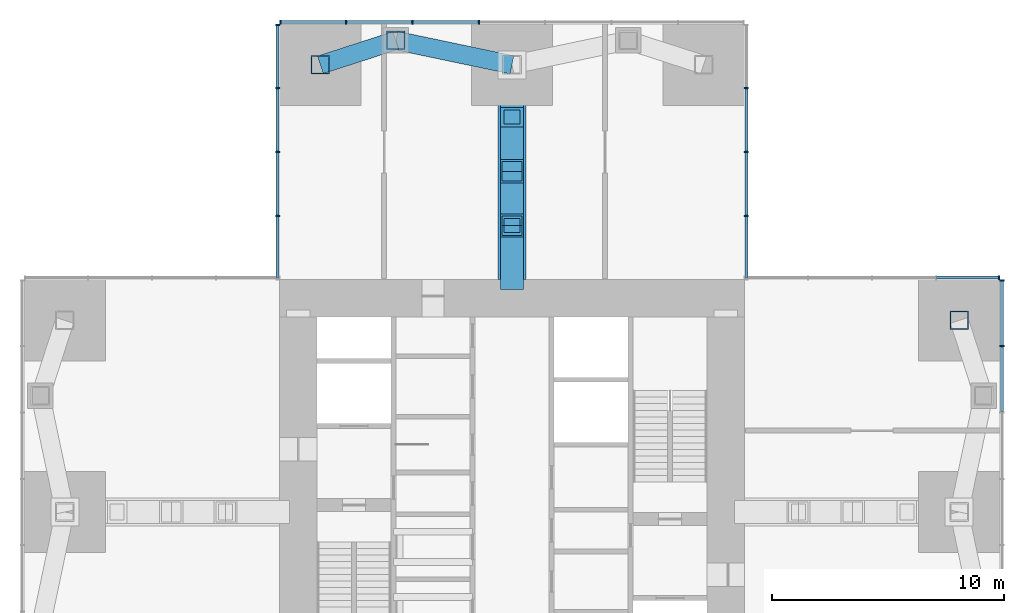
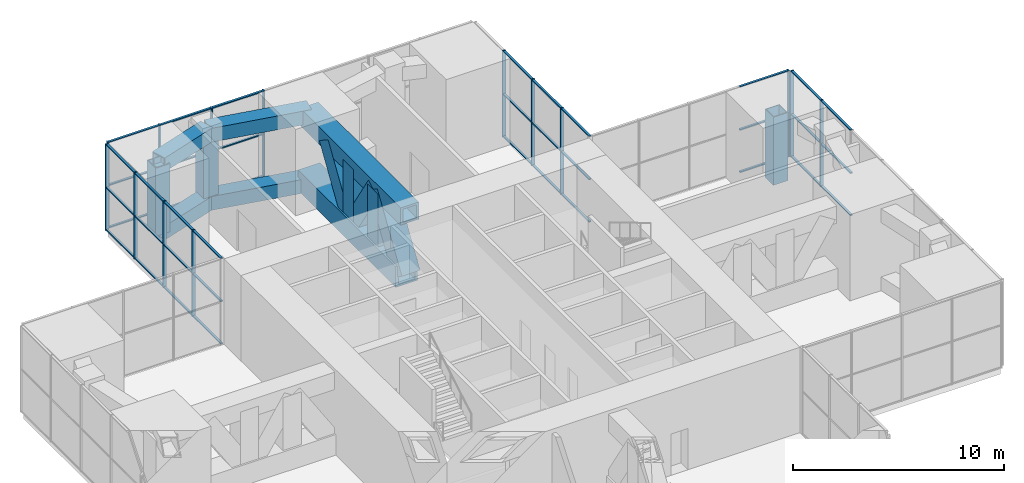
# One storey, part 6 of 12: 67 members, 5 elements without a shape of their own.
"""IFC4 building model written with IfcOpenShell, lengths in metres."""

from ifc_helpers import new_model, si_unit, direction, frame, origin, origin_2d, place, context, subcontext, project, spatial, rectangle, hollow_rectangle, extrude, material, material_profile, profile_set, type_object, element, aggregate, save


model = new_model("IFC4")

# Units and contexts
model_context = context("Model", 3, precision=1e-05, world=origin(), true_north=direction((0.0, 1.0)))
body_context = subcontext(model_context, "Body", "Model", "MODEL_VIEW")
ifc_project = project(units=[si_unit("LENGTHUNIT", "METRE"), si_unit("AREAUNIT", "SQUARE_METRE"), si_unit("VOLUMEUNIT", "CUBIC_METRE"), si_unit("PLANEANGLEUNIT", "RADIAN"), si_unit("MASSUNIT", "GRAM", prefix="KILO")], contexts=[model_context])

# Site, building, storey
site_placement = place(None, origin())
site = spatial("IfcSite", under=ifc_project, at=site_placement, CompositionType="ELEMENT")
building_placement = place(site_placement, origin())
building = spatial("IfcBuilding", under=site, at=building_placement, Name="Svetlomir Tower", CompositionType="ELEMENT")
storey_placement = place(building_placement, frame((0.0, 0.0, 160.5)))
storey = spatial("IfcBuildingStorey", under=building, at=storey_placement, Name="L38", CompositionType="ELEMENT", Elevation=160.5)

# Members
ifc_material_1 = material(Name="Steel S355", Category="steel")
ifc_material_profile_1 = material_profile(ifc_material_1, hollow_rectangle(XDim=0.800048828125, YDim=0.800048828125, WallThickness=0.050048828125, at=origin_2d()), Name="BOX 800x800x50")
ifc_profile_set_1 = profile_set([ifc_material_profile_1], Name="Steel S355")
member_type_1 = type_object("IfcMemberType", Name="BELT FRAME CHORD BOX 800x800x50", PredefinedType="CHORD", material=ifc_profile_set_1)
for number, where, z_axis, x_axis, name in (
    (1, (12.75, 40.25, 0.39990234375), (0.951566360503, 0.307443428225, 0.0), (-0.307443428225, 0.951566360503, 0.0), "Belt frame N L38 bottom chord 1"),
    (2, (12.75, 40.25, 4.35009765625), (0.951566360503, 0.307443428225, 0.0), (-0.307443428225, 0.951566360503, 0.0), "Belt frame N L38 top chord 1"),
):
    element("IfcMember", number, at=place(storey_placement, frame(where, z_axis=z_axis, x_axis=x_axis)), inside=storey, type_object=member_type_1, Name=name, PredefinedType="CHORD", context=body_context, shape_type="SweptSolid", body=[
        extrude(hollow_rectangle(XDim=0.800048828125, YDim=0.800048828125, WallThickness=0.050048828125, at=origin_2d()), origin(), (0.0, 0.0, 1.0), 3.41552734375),
    ])
for number, where, z_axis, x_axis, name in (
    (3, (16.0, 41.300048828125, 0.39990234375), (0.978651574329, -0.205526387753, 0.0), (0.205526387753, 0.978651574329, 0.0), "Belt frame N L38 bottom chord 2"),
    (4, (16.0, 41.300048828125, 4.35009765625), (0.978651574329, -0.205526387753, 0.0), (0.205526387753, 0.978651574329, 0.0), "Belt frame N L38 top chord 2"),
):
    element("IfcMember", number, at=place(storey_placement, frame(where, z_axis=z_axis, x_axis=x_axis)), inside=storey, type_object=member_type_1, Name=name, PredefinedType="CHORD", context=body_context, shape_type="SweptSolid", body=[
        extrude(hollow_rectangle(XDim=0.800048828125, YDim=0.800048828125, WallThickness=0.050048828125, at=origin_2d()), origin(), (0.0, 0.0, 1.0), 5.109130859375),
    ])
ifc_material_2 = material(Name="Steel S355", Category="steel")
ifc_material_profile_2 = material_profile(ifc_material_2, hollow_rectangle(XDim=0.800048828125, YDim=0.800048828125, WallThickness=0.050048828125, at=origin_2d()), Name="BOX 800x800x50")
ifc_profile_set_2 = profile_set([ifc_material_profile_2], Name="Steel S355")
member_type_2 = type_object("IfcMemberType", Name="BELT FRAME POST BOX 800x800x50", PredefinedType="POST", material=ifc_profile_set_2)
for number, where, z_axis, x_axis, name in (
    (5, (12.75, 40.25, 0.39990234375), (0.0, 0.0, 1.0), (1.0, 0.0, 0.0), "Belt frame N L38 post 1"),
    (6, (16.0, 41.300048828125, 0.39990234375), (0.0, 0.0, 1.0), (1.0, 0.0, 0.0), "Belt frame N L38 post 2"),
    (7, (40.25, 29.25, 0.39990234375), (0.0, 0.0, 1.0), (1.0, 0.0, 0.0), "Belt frame E L38 post 5"),
):
    element("IfcMember", number, at=place(storey_placement, frame(where, z_axis=z_axis, x_axis=x_axis)), inside=storey, type_object=member_type_2, Name=name, PredefinedType="POST", context=body_context, shape_type="SweptSolid", body=[
        extrude(hollow_rectangle(XDim=0.800048828125, YDim=0.800048828125, WallThickness=0.050048828125, at=origin_2d()), origin(), (0.0, 0.0, 1.0), 3.9501953125),
    ])

# Curtain wall, members
ifc_material_3 = material(Name="Bronze anodised aluminium curtain wall", Category="aluminium")
curtain_wall_type = type_object("IfcCurtainWallType", Name="CURTAIN WALL CW3 PLANT LOUVRE", PredefinedType="NOTDEFINED", material=ifc_material_3)
curtain_wall_1_placement = place(storey_placement, origin())
curtain_wall_1 = element("IfcCurtainWall", 8, at=curtain_wall_1_placement, inside=storey, type_object=curtain_wall_type, Name="Curtain wall CW3 L38", PredefinedType="NOTDEFINED")
ifc_material_4 = material(Name="Bronze anodised aluminium", Category="aluminium")
ifc_material_profile_3 = material_profile(ifc_material_4, rectangle(XDim=0.06494140625, YDim=0.179931640625, at=origin_2d()), Name="AL 65x180")
ifc_profile_set_3 = profile_set([ifc_material_profile_3], Name="Bronze anodised aluminium 6063-T6")
member_type_3 = type_object("IfcMemberType", Name="CW3 MULLION 65x180", PredefinedType="MULLION", material=ifc_profile_set_3)
member_1_placement = place(storey_placement, frame((42.090087890625, 28.142822265625, 0.0), z_axis=(0.0, 0.0, 1.0), x_axis=(0.0, 1.0, 0.0)))
member_1 = element("IfcMember", 9, at=member_1_placement, type_object=member_type_3, Name="CW3 mullion 7", PredefinedType="MULLION", context=body_context, shape_type="SweptSolid", body=[
    extrude(rectangle(XDim=0.06494140625, YDim=0.179931640625, at=origin_2d()), origin(), (0.0, 0.0, 1.0), 5.0),
])
member_2_placement = place(storey_placement, frame((42.090087890625, 30.967529296875, 0.0), z_axis=(0.0, 0.0, 1.0), x_axis=(0.0, 1.0, 0.0)))
member_2 = element("IfcMember", 10, at=member_2_placement, type_object=member_type_3, Name="CW3 mullion 8", PredefinedType="MULLION", context=body_context, shape_type="SweptSolid", body=[
    extrude(rectangle(XDim=0.06494140625, YDim=0.179931640625, at=origin_2d()), origin(), (0.0, 0.0, 1.0), 5.0),
])

# Curtain wall, member
curtain_wall_2_placement = place(storey_placement, origin())
curtain_wall_2 = element("IfcCurtainWall", 11, at=curtain_wall_2_placement, inside=storey, type_object=curtain_wall_type, Name="Curtain wall CW3 L38", PredefinedType="NOTDEFINED")
member_3_placement = place(storey_placement, frame((41.967529296875, 31.090087890625, 0.0), z_axis=(0.0, 0.0, 1.0), x_axis=(-1.0, 0.0, 0.0)))
member_3 = element("IfcMember", 12, at=member_3_placement, type_object=member_type_3, Name="CW3 mullion 1", PredefinedType="MULLION", context=body_context, shape_type="SweptSolid", body=[
    extrude(rectangle(XDim=0.06494140625, YDim=0.179931640625, at=origin_2d()), origin(), (0.0, 0.0, 1.0), 5.0),
])

# Curtain wall, members
curtain_wall_3_placement = place(storey_placement, origin())
curtain_wall_3 = element("IfcCurtainWall", 13, at=curtain_wall_3_placement, inside=storey, type_object=curtain_wall_type, Name="Curtain wall CW3 L38", PredefinedType="NOTDEFINED")
member_4_placement = place(storey_placement, frame((31.090087890625, 33.75, 0.0), z_axis=(0.0, 0.0, 1.0), x_axis=(0.0, 1.0, 0.0)))
member_4 = element("IfcMember", 14, at=member_4_placement, type_object=member_type_3, Name="CW3 mullion 2", PredefinedType="MULLION", context=body_context, shape_type="SweptSolid", body=[
    extrude(rectangle(XDim=0.06494140625, YDim=0.179931640625, at=origin_2d()), origin(), (0.0, 0.0, 1.0), 5.0),
])
member_5_placement = place(storey_placement, frame((31.090087890625, 36.5, 0.0), z_axis=(0.0, 0.0, 1.0), x_axis=(0.0, 1.0, 0.0)))
member_5 = element("IfcMember", 15, at=member_5_placement, type_object=member_type_3, Name="CW3 mullion 3", PredefinedType="MULLION", context=body_context, shape_type="SweptSolid", body=[
    extrude(rectangle(XDim=0.06494140625, YDim=0.179931640625, at=origin_2d()), origin(), (0.0, 0.0, 1.0), 5.0),
])
member_6_placement = place(storey_placement, frame((31.090087890625, 39.25, 0.0), z_axis=(0.0, 0.0, 1.0), x_axis=(0.0, 1.0, 0.0)))
member_6 = element("IfcMember", 16, at=member_6_placement, type_object=member_type_3, Name="CW3 mullion 4", PredefinedType="MULLION", context=body_context, shape_type="SweptSolid", body=[
    extrude(rectangle(XDim=0.06494140625, YDim=0.179931640625, at=origin_2d()), origin(), (0.0, 0.0, 1.0), 5.0),
])

curtain_wall_4_placement = place(storey_placement, origin())
curtain_wall_4 = element("IfcCurtainWall", 17, at=curtain_wall_4_placement, inside=storey, type_object=curtain_wall_type, Name="Curtain wall CW3 L38", PredefinedType="NOTDEFINED")
member_7_placement = place(storey_placement, frame((19.571533203125, 42.090087890625, 0.0), z_axis=(0.0, 0.0, 1.0), x_axis=(-1.0, 0.0, 0.0)))
member_7 = element("IfcMember", 18, at=member_7_placement, type_object=member_type_3, Name="CW3 mullion 5", PredefinedType="MULLION", context=body_context, shape_type="SweptSolid", body=[
    extrude(rectangle(XDim=0.06494140625, YDim=0.179931640625, at=origin_2d()), origin(), (0.0, 0.0, 1.0), 5.0),
])
member_8_placement = place(storey_placement, frame((16.71435546875, 42.090087890625, 0.0), z_axis=(0.0, 0.0, 1.0), x_axis=(-1.0, 0.0, 0.0)))
member_8 = element("IfcMember", 19, at=member_8_placement, type_object=member_type_3, Name="CW3 mullion 6", PredefinedType="MULLION", context=body_context, shape_type="SweptSolid", body=[
    extrude(rectangle(XDim=0.06494140625, YDim=0.179931640625, at=origin_2d()), origin(), (0.0, 0.0, 1.0), 5.0),
])
member_9_placement = place(storey_placement, frame((13.857177734375, 42.090087890625, 0.0), z_axis=(0.0, 0.0, 1.0), x_axis=(-1.0, 0.0, 0.0)))
member_9 = element("IfcMember", 20, at=member_9_placement, type_object=member_type_3, Name="CW3 mullion 7", PredefinedType="MULLION", context=body_context, shape_type="SweptSolid", body=[
    extrude(rectangle(XDim=0.06494140625, YDim=0.179931640625, at=origin_2d()), origin(), (0.0, 0.0, 1.0), 5.0),
])
member_10_placement = place(storey_placement, frame((11.032470703125, 42.090087890625, 0.0), z_axis=(0.0, 0.0, 1.0), x_axis=(-1.0, 0.0, 0.0)))
member_10 = element("IfcMember", 21, at=member_10_placement, type_object=member_type_3, Name="CW3 mullion 8", PredefinedType="MULLION", context=body_context, shape_type="SweptSolid", body=[
    extrude(rectangle(XDim=0.06494140625, YDim=0.179931640625, at=origin_2d()), origin(), (0.0, 0.0, 1.0), 5.0),
])

curtain_wall_5_placement = place(storey_placement, origin())
curtain_wall_5 = element("IfcCurtainWall", 22, at=curtain_wall_5_placement, inside=storey, type_object=curtain_wall_type, Name="Curtain wall CW3 L38", PredefinedType="NOTDEFINED")
member_11_placement = place(storey_placement, frame((10.909912109375, 41.967529296875, 0.0), z_axis=(0.0, 0.0, 1.0), x_axis=(0.0, -1.0, 0.0)))
member_11 = element("IfcMember", 23, at=member_11_placement, type_object=member_type_3, Name="CW3 mullion 1", PredefinedType="MULLION", context=body_context, shape_type="SweptSolid", body=[
    extrude(rectangle(XDim=0.06494140625, YDim=0.179931640625, at=origin_2d()), origin(), (0.0, 0.0, 1.0), 5.0),
])
member_12_placement = place(storey_placement, frame((10.909912109375, 39.25, 0.0), z_axis=(0.0, 0.0, 1.0), x_axis=(0.0, -1.0, 0.0)))
member_12 = element("IfcMember", 24, at=member_12_placement, type_object=member_type_3, Name="CW3 mullion 2", PredefinedType="MULLION", context=body_context, shape_type="SweptSolid", body=[
    extrude(rectangle(XDim=0.06494140625, YDim=0.179931640625, at=origin_2d()), origin(), (0.0, 0.0, 1.0), 5.0),
])
member_13_placement = place(storey_placement, frame((10.909912109375, 36.5, 0.0), z_axis=(0.0, 0.0, 1.0), x_axis=(0.0, -1.0, 0.0)))
member_13 = element("IfcMember", 25, at=member_13_placement, type_object=member_type_3, Name="CW3 mullion 3", PredefinedType="MULLION", context=body_context, shape_type="SweptSolid", body=[
    extrude(rectangle(XDim=0.06494140625, YDim=0.179931640625, at=origin_2d()), origin(), (0.0, 0.0, 1.0), 5.0),
])
member_14_placement = place(storey_placement, frame((10.909912109375, 33.75, 0.0), z_axis=(0.0, 0.0, 1.0), x_axis=(0.0, -1.0, 0.0)))
member_14 = element("IfcMember", 26, at=member_14_placement, type_object=member_type_3, Name="CW3 mullion 4", PredefinedType="MULLION", context=body_context, shape_type="SweptSolid", body=[
    extrude(rectangle(XDim=0.06494140625, YDim=0.179931640625, at=origin_2d()), origin(), (0.0, 0.0, 1.0), 5.0),
])

# Member
ifc_material_5 = material(Name="Bronze anodised aluminium", Category="aluminium")
ifc_material_profile_4 = material_profile(ifc_material_5, rectangle(XDim=0.1201171875, YDim=0.06494140625, at=origin_2d()), Name="AL 120x65")
ifc_profile_set_4 = profile_set([ifc_material_profile_4], Name="Bronze anodised aluminium 6063-T6")
member_type_4 = type_object("IfcMemberType", Name="CW3 TRANSOM 65x120", PredefinedType="USERDEFINED", material=ifc_profile_set_4)
member_15_placement = place(storey_placement, frame((42.090087890625, 25.318115234375, 0.032470703125), z_axis=(0.0, 1.0, 0.0), x_axis=(-1.0, 0.0, 0.0)))
member_15 = element("IfcMember", 27, at=member_15_placement, type_object=member_type_4, Name="CW3 transom 6.1", ObjectType="TRANSOM", PredefinedType="USERDEFINED", context=body_context, shape_type="SweptSolid", body=[
    extrude(rectangle(XDim=0.1201171875, YDim=0.06494140625, at=origin_2d()), origin(), (0.0, 0.0, 1.0), 2.792236328125),
])

member_16_placement = place(storey_placement, frame((42.090087890625, 25.318115234375, 2.483642578125), z_axis=(0.0, 1.0, 0.0), x_axis=(-1.0, 0.0, 0.0)))
member_16 = element("IfcMember", 28, at=member_16_placement, type_object=member_type_4, Name="CW3 transom 6.2", ObjectType="TRANSOM", PredefinedType="USERDEFINED", context=body_context, shape_type="SweptSolid", body=[
    extrude(rectangle(XDim=0.1201171875, YDim=0.06494140625, at=origin_2d()), origin(), (0.0, 0.0, 1.0), 2.792236328125),
])

member_17_placement = place(storey_placement, frame((42.090087890625, 25.318115234375, 4.967529296875), z_axis=(0.0, 1.0, 0.0), x_axis=(-1.0, 0.0, 0.0)))
member_17 = element("IfcMember", 29, at=member_17_placement, type_object=member_type_4, Name="CW3 transom 6.3", ObjectType="TRANSOM", PredefinedType="USERDEFINED", context=body_context, shape_type="SweptSolid", body=[
    extrude(rectangle(XDim=0.1201171875, YDim=0.06494140625, at=origin_2d()), origin(), (0.0, 0.0, 1.0), 2.792236328125),
])

member_18_placement = place(storey_placement, frame((42.090087890625, 28.17529296875, 0.032470703125), z_axis=(0.0, 1.0, 0.0), x_axis=(-1.0, 0.0, 0.0)))
member_18 = element("IfcMember", 30, at=member_18_placement, type_object=member_type_4, Name="CW3 transom 7.1", ObjectType="TRANSOM", PredefinedType="USERDEFINED", context=body_context, shape_type="SweptSolid", body=[
    extrude(rectangle(XDim=0.1201171875, YDim=0.06494140625, at=origin_2d()), origin(), (0.0, 0.0, 1.0), 2.759765625),
])

member_19_placement = place(storey_placement, frame((42.090087890625, 28.17529296875, 2.483642578125), z_axis=(0.0, 1.0, 0.0), x_axis=(-1.0, 0.0, 0.0)))
member_19 = element("IfcMember", 31, at=member_19_placement, type_object=member_type_4, Name="CW3 transom 7.2", ObjectType="TRANSOM", PredefinedType="USERDEFINED", context=body_context, shape_type="SweptSolid", body=[
    extrude(rectangle(XDim=0.1201171875, YDim=0.06494140625, at=origin_2d()), origin(), (0.0, 0.0, 1.0), 2.759765625),
])

member_20_placement = place(storey_placement, frame((42.090087890625, 28.17529296875, 4.967529296875), z_axis=(0.0, 1.0, 0.0), x_axis=(-1.0, 0.0, 0.0)))
member_20 = element("IfcMember", 32, at=member_20_placement, type_object=member_type_4, Name="CW3 transom 7.3", ObjectType="TRANSOM", PredefinedType="USERDEFINED", context=body_context, shape_type="SweptSolid", body=[
    extrude(rectangle(XDim=0.1201171875, YDim=0.06494140625, at=origin_2d()), origin(), (0.0, 0.0, 1.0), 2.759765625),
])

aggregate(curtain_wall_1, [member_1, member_2, member_15, member_16, member_17, member_18, member_19, member_20])

member_21_placement = place(storey_placement, frame((41.93505859375, 31.090087890625, 0.032470703125), z_axis=(-1.0, 0.0, 0.0), x_axis=(0.0, -1.0, 0.0)))
member_21 = element("IfcMember", 33, at=member_21_placement, type_object=member_type_4, Name="CW3 transom 1.1", ObjectType="TRANSOM", PredefinedType="USERDEFINED", context=body_context, shape_type="SweptSolid", body=[
    extrude(rectangle(XDim=0.1201171875, YDim=0.06494140625, at=origin_2d()), origin(), (0.0, 0.0, 1.0), 2.652587890625),
])

member_22_placement = place(storey_placement, frame((41.93505859375, 31.090087890625, 2.483642578125), z_axis=(-1.0, 0.0, 0.0), x_axis=(0.0, -1.0, 0.0)))
member_22 = element("IfcMember", 34, at=member_22_placement, type_object=member_type_4, Name="CW3 transom 1.2", ObjectType="TRANSOM", PredefinedType="USERDEFINED", context=body_context, shape_type="SweptSolid", body=[
    extrude(rectangle(XDim=0.1201171875, YDim=0.06494140625, at=origin_2d()), origin(), (0.0, 0.0, 1.0), 2.652587890625),
])

member_23_placement = place(storey_placement, frame((41.93505859375, 31.090087890625, 4.967529296875), z_axis=(-1.0, 0.0, 0.0), x_axis=(0.0, -1.0, 0.0)))
member_23 = element("IfcMember", 35, at=member_23_placement, type_object=member_type_4, Name="CW3 transom 1.3", ObjectType="TRANSOM", PredefinedType="USERDEFINED", context=body_context, shape_type="SweptSolid", body=[
    extrude(rectangle(XDim=0.1201171875, YDim=0.06494140625, at=origin_2d()), origin(), (0.0, 0.0, 1.0), 2.652587890625),
])

aggregate(curtain_wall_2, [member_3, member_21, member_22, member_23])

member_24_placement = place(storey_placement, frame((31.090087890625, 31.06494140625, 0.032470703125), z_axis=(0.0, 1.0, 0.0), x_axis=(-1.0, 0.0, 0.0)))
member_24 = element("IfcMember", 36, at=member_24_placement, type_object=member_type_4, Name="CW3 transom 1.1", ObjectType="TRANSOM", PredefinedType="USERDEFINED", context=body_context, shape_type="SweptSolid", body=[
    extrude(rectangle(XDim=0.1201171875, YDim=0.06494140625, at=origin_2d()), origin(), (0.0, 0.0, 1.0), 2.652587890625),
])

member_25_placement = place(storey_placement, frame((31.090087890625, 31.06494140625, 2.483642578125), z_axis=(0.0, 1.0, 0.0), x_axis=(-1.0, 0.0, 0.0)))
member_25 = element("IfcMember", 37, at=member_25_placement, type_object=member_type_4, Name="CW3 transom 1.2", ObjectType="TRANSOM", PredefinedType="USERDEFINED", context=body_context, shape_type="SweptSolid", body=[
    extrude(rectangle(XDim=0.1201171875, YDim=0.06494140625, at=origin_2d()), origin(), (0.0, 0.0, 1.0), 2.652587890625),
])

member_26_placement = place(storey_placement, frame((31.090087890625, 31.06494140625, 4.967529296875), z_axis=(0.0, 1.0, 0.0), x_axis=(-1.0, 0.0, 0.0)))
member_26 = element("IfcMember", 38, at=member_26_placement, type_object=member_type_4, Name="CW3 transom 1.3", ObjectType="TRANSOM", PredefinedType="USERDEFINED", context=body_context, shape_type="SweptSolid", body=[
    extrude(rectangle(XDim=0.1201171875, YDim=0.06494140625, at=origin_2d()), origin(), (0.0, 0.0, 1.0), 2.652587890625),
])

member_27_placement = place(storey_placement, frame((31.090087890625, 33.782470703125, 0.032470703125), z_axis=(0.0, 1.0, 0.0), x_axis=(-1.0, 0.0, 0.0)))
member_27 = element("IfcMember", 39, at=member_27_placement, type_object=member_type_4, Name="CW3 transom 2.1", ObjectType="TRANSOM", PredefinedType="USERDEFINED", context=body_context, shape_type="SweptSolid", body=[
    extrude(rectangle(XDim=0.1201171875, YDim=0.06494140625, at=origin_2d()), origin(), (0.0, 0.0, 1.0), 2.68505859375),
])

member_28_placement = place(storey_placement, frame((31.090087890625, 33.782470703125, 2.483642578125), z_axis=(0.0, 1.0, 0.0), x_axis=(-1.0, 0.0, 0.0)))
member_28 = element("IfcMember", 40, at=member_28_placement, type_object=member_type_4, Name="CW3 transom 2.2", ObjectType="TRANSOM", PredefinedType="USERDEFINED", context=body_context, shape_type="SweptSolid", body=[
    extrude(rectangle(XDim=0.1201171875, YDim=0.06494140625, at=origin_2d()), origin(), (0.0, 0.0, 1.0), 2.68505859375),
])

member_29_placement = place(storey_placement, frame((31.090087890625, 33.782470703125, 4.967529296875), z_axis=(0.0, 1.0, 0.0), x_axis=(-1.0, 0.0, 0.0)))
member_29 = element("IfcMember", 41, at=member_29_placement, type_object=member_type_4, Name="CW3 transom 2.3", ObjectType="TRANSOM", PredefinedType="USERDEFINED", context=body_context, shape_type="SweptSolid", body=[
    extrude(rectangle(XDim=0.1201171875, YDim=0.06494140625, at=origin_2d()), origin(), (0.0, 0.0, 1.0), 2.68505859375),
])

member_30_placement = place(storey_placement, frame((31.090087890625, 36.532470703125, 0.032470703125), z_axis=(0.0, 1.0, 0.0), x_axis=(-1.0, 0.0, 0.0)))
member_30 = element("IfcMember", 42, at=member_30_placement, type_object=member_type_4, Name="CW3 transom 3.1", ObjectType="TRANSOM", PredefinedType="USERDEFINED", context=body_context, shape_type="SweptSolid", body=[
    extrude(rectangle(XDim=0.1201171875, YDim=0.06494140625, at=origin_2d()), origin(), (0.0, 0.0, 1.0), 2.68505859375),
])

member_31_placement = place(storey_placement, frame((31.090087890625, 36.532470703125, 2.483642578125), z_axis=(0.0, 1.0, 0.0), x_axis=(-1.0, 0.0, 0.0)))
member_31 = element("IfcMember", 43, at=member_31_placement, type_object=member_type_4, Name="CW3 transom 3.2", ObjectType="TRANSOM", PredefinedType="USERDEFINED", context=body_context, shape_type="SweptSolid", body=[
    extrude(rectangle(XDim=0.1201171875, YDim=0.06494140625, at=origin_2d()), origin(), (0.0, 0.0, 1.0), 2.68505859375),
])

member_32_placement = place(storey_placement, frame((31.090087890625, 36.532470703125, 4.967529296875), z_axis=(0.0, 1.0, 0.0), x_axis=(-1.0, 0.0, 0.0)))
member_32 = element("IfcMember", 44, at=member_32_placement, type_object=member_type_4, Name="CW3 transom 3.3", ObjectType="TRANSOM", PredefinedType="USERDEFINED", context=body_context, shape_type="SweptSolid", body=[
    extrude(rectangle(XDim=0.1201171875, YDim=0.06494140625, at=origin_2d()), origin(), (0.0, 0.0, 1.0), 2.68505859375),
])

aggregate(curtain_wall_3, [member_4, member_5, member_6, member_24, member_25, member_26, member_27, member_28, member_29, member_30, member_31, member_32])

member_33_placement = place(storey_placement, frame((19.538818359375, 42.090087890625, 0.032470703125), z_axis=(-1.0, 0.0, 0.0), x_axis=(0.0, -1.0, 0.0)))
member_33 = element("IfcMember", 45, at=member_33_placement, type_object=member_type_4, Name="CW3 transom 5.1", ObjectType="TRANSOM", PredefinedType="USERDEFINED", context=body_context, shape_type="SweptSolid", body=[
    extrude(rectangle(XDim=0.1201171875, YDim=0.06494140625, at=origin_2d()), origin(), (0.0, 0.0, 1.0), 2.7919921875),
])

member_34_placement = place(storey_placement, frame((19.538818359375, 42.090087890625, 2.483642578125), z_axis=(-1.0, 0.0, 0.0), x_axis=(0.0, -1.0, 0.0)))
member_34 = element("IfcMember", 46, at=member_34_placement, type_object=member_type_4, Name="CW3 transom 5.2", ObjectType="TRANSOM", PredefinedType="USERDEFINED", context=body_context, shape_type="SweptSolid", body=[
    extrude(rectangle(XDim=0.1201171875, YDim=0.06494140625, at=origin_2d()), origin(), (0.0, 0.0, 1.0), 2.7919921875),
])

member_35_placement = place(storey_placement, frame((19.538818359375, 42.090087890625, 4.967529296875), z_axis=(-1.0, 0.0, 0.0), x_axis=(0.0, -1.0, 0.0)))
member_35 = element("IfcMember", 47, at=member_35_placement, type_object=member_type_4, Name="CW3 transom 5.3", ObjectType="TRANSOM", PredefinedType="USERDEFINED", context=body_context, shape_type="SweptSolid", body=[
    extrude(rectangle(XDim=0.1201171875, YDim=0.06494140625, at=origin_2d()), origin(), (0.0, 0.0, 1.0), 2.7919921875),
])

member_36_placement = place(storey_placement, frame((16.681884765625, 42.090087890625, 0.032470703125), z_axis=(-1.0, 0.0, 0.0), x_axis=(0.0, -1.0, 0.0)))
member_36 = element("IfcMember", 48, at=member_36_placement, type_object=member_type_4, Name="CW3 transom 6.1", ObjectType="TRANSOM", PredefinedType="USERDEFINED", context=body_context, shape_type="SweptSolid", body=[
    extrude(rectangle(XDim=0.1201171875, YDim=0.06494140625, at=origin_2d()), origin(), (0.0, 0.0, 1.0), 2.792236328125),
])

member_37_placement = place(storey_placement, frame((16.681884765625, 42.090087890625, 2.483642578125), z_axis=(-1.0, 0.0, 0.0), x_axis=(0.0, -1.0, 0.0)))
member_37 = element("IfcMember", 49, at=member_37_placement, type_object=member_type_4, Name="CW3 transom 6.2", ObjectType="TRANSOM", PredefinedType="USERDEFINED", context=body_context, shape_type="SweptSolid", body=[
    extrude(rectangle(XDim=0.1201171875, YDim=0.06494140625, at=origin_2d()), origin(), (0.0, 0.0, 1.0), 2.792236328125),
])

member_38_placement = place(storey_placement, frame((16.681884765625, 42.090087890625, 4.967529296875), z_axis=(-1.0, 0.0, 0.0), x_axis=(0.0, -1.0, 0.0)))
member_38 = element("IfcMember", 50, at=member_38_placement, type_object=member_type_4, Name="CW3 transom 6.3", ObjectType="TRANSOM", PredefinedType="USERDEFINED", context=body_context, shape_type="SweptSolid", body=[
    extrude(rectangle(XDim=0.1201171875, YDim=0.06494140625, at=origin_2d()), origin(), (0.0, 0.0, 1.0), 2.792236328125),
])

member_39_placement = place(storey_placement, frame((13.82470703125, 42.090087890625, 0.032470703125), z_axis=(-1.0, 0.0, 0.0), x_axis=(0.0, -1.0, 0.0)))
member_39 = element("IfcMember", 51, at=member_39_placement, type_object=member_type_4, Name="CW3 transom 7.1", ObjectType="TRANSOM", PredefinedType="USERDEFINED", context=body_context, shape_type="SweptSolid", body=[
    extrude(rectangle(XDim=0.1201171875, YDim=0.06494140625, at=origin_2d()), origin(), (0.0, 0.0, 1.0), 2.759765625),
])

member_40_placement = place(storey_placement, frame((13.82470703125, 42.090087890625, 2.483642578125), z_axis=(-1.0, 0.0, 0.0), x_axis=(0.0, -1.0, 0.0)))
member_40 = element("IfcMember", 52, at=member_40_placement, type_object=member_type_4, Name="CW3 transom 7.2", ObjectType="TRANSOM", PredefinedType="USERDEFINED", context=body_context, shape_type="SweptSolid", body=[
    extrude(rectangle(XDim=0.1201171875, YDim=0.06494140625, at=origin_2d()), origin(), (0.0, 0.0, 1.0), 2.759765625),
])

member_41_placement = place(storey_placement, frame((13.82470703125, 42.090087890625, 4.967529296875), z_axis=(-1.0, 0.0, 0.0), x_axis=(0.0, -1.0, 0.0)))
member_41 = element("IfcMember", 53, at=member_41_placement, type_object=member_type_4, Name="CW3 transom 7.3", ObjectType="TRANSOM", PredefinedType="USERDEFINED", context=body_context, shape_type="SweptSolid", body=[
    extrude(rectangle(XDim=0.1201171875, YDim=0.06494140625, at=origin_2d()), origin(), (0.0, 0.0, 1.0), 2.759765625),
])

aggregate(curtain_wall_4, [member_7, member_8, member_9, member_10, member_33, member_34, member_35, member_36, member_37, member_38, member_39, member_40, member_41])

member_42_placement = place(storey_placement, frame((10.909912109375, 41.93505859375, 0.032470703125), z_axis=(0.0, -1.0, 0.0), x_axis=(1.0, 0.0, 0.0)))
member_42 = element("IfcMember", 54, at=member_42_placement, type_object=member_type_4, Name="CW3 transom 1.1", ObjectType="TRANSOM", PredefinedType="USERDEFINED", context=body_context, shape_type="SweptSolid", body=[
    extrude(rectangle(XDim=0.1201171875, YDim=0.06494140625, at=origin_2d()), origin(), (0.0, 0.0, 1.0), 2.652587890625),
])

member_43_placement = place(storey_placement, frame((10.909912109375, 41.93505859375, 2.483642578125), z_axis=(0.0, -1.0, 0.0), x_axis=(1.0, 0.0, 0.0)))
member_43 = element("IfcMember", 55, at=member_43_placement, type_object=member_type_4, Name="CW3 transom 1.2", ObjectType="TRANSOM", PredefinedType="USERDEFINED", context=body_context, shape_type="SweptSolid", body=[
    extrude(rectangle(XDim=0.1201171875, YDim=0.06494140625, at=origin_2d()), origin(), (0.0, 0.0, 1.0), 2.652587890625),
])

member_44_placement = place(storey_placement, frame((10.909912109375, 41.93505859375, 4.967529296875), z_axis=(0.0, -1.0, 0.0), x_axis=(1.0, 0.0, 0.0)))
member_44 = element("IfcMember", 56, at=member_44_placement, type_object=member_type_4, Name="CW3 transom 1.3", ObjectType="TRANSOM", PredefinedType="USERDEFINED", context=body_context, shape_type="SweptSolid", body=[
    extrude(rectangle(XDim=0.1201171875, YDim=0.06494140625, at=origin_2d()), origin(), (0.0, 0.0, 1.0), 2.652587890625),
])

member_45_placement = place(storey_placement, frame((10.909912109375, 39.217529296875, 0.032470703125), z_axis=(0.0, -1.0, 0.0), x_axis=(1.0, 0.0, 0.0)))
member_45 = element("IfcMember", 57, at=member_45_placement, type_object=member_type_4, Name="CW3 transom 2.1", ObjectType="TRANSOM", PredefinedType="USERDEFINED", context=body_context, shape_type="SweptSolid", body=[
    extrude(rectangle(XDim=0.1201171875, YDim=0.06494140625, at=origin_2d()), origin(), (0.0, 0.0, 1.0), 2.68505859375),
])

member_46_placement = place(storey_placement, frame((10.909912109375, 39.217529296875, 2.483642578125), z_axis=(0.0, -1.0, 0.0), x_axis=(1.0, 0.0, 0.0)))
member_46 = element("IfcMember", 58, at=member_46_placement, type_object=member_type_4, Name="CW3 transom 2.2", ObjectType="TRANSOM", PredefinedType="USERDEFINED", context=body_context, shape_type="SweptSolid", body=[
    extrude(rectangle(XDim=0.1201171875, YDim=0.06494140625, at=origin_2d()), origin(), (0.0, 0.0, 1.0), 2.68505859375),
])

member_47_placement = place(storey_placement, frame((10.909912109375, 39.217529296875, 4.967529296875), z_axis=(0.0, -1.0, 0.0), x_axis=(1.0, 0.0, 0.0)))
member_47 = element("IfcMember", 59, at=member_47_placement, type_object=member_type_4, Name="CW3 transom 2.3", ObjectType="TRANSOM", PredefinedType="USERDEFINED", context=body_context, shape_type="SweptSolid", body=[
    extrude(rectangle(XDim=0.1201171875, YDim=0.06494140625, at=origin_2d()), origin(), (0.0, 0.0, 1.0), 2.68505859375),
])

member_48_placement = place(storey_placement, frame((10.909912109375, 36.467529296875, 0.032470703125), z_axis=(0.0, -1.0, 0.0), x_axis=(1.0, 0.0, 0.0)))
member_48 = element("IfcMember", 60, at=member_48_placement, type_object=member_type_4, Name="CW3 transom 3.1", ObjectType="TRANSOM", PredefinedType="USERDEFINED", context=body_context, shape_type="SweptSolid", body=[
    extrude(rectangle(XDim=0.1201171875, YDim=0.06494140625, at=origin_2d()), origin(), (0.0, 0.0, 1.0), 2.68505859375),
])

member_49_placement = place(storey_placement, frame((10.909912109375, 36.467529296875, 2.483642578125), z_axis=(0.0, -1.0, 0.0), x_axis=(1.0, 0.0, 0.0)))
member_49 = element("IfcMember", 61, at=member_49_placement, type_object=member_type_4, Name="CW3 transom 3.2", ObjectType="TRANSOM", PredefinedType="USERDEFINED", context=body_context, shape_type="SweptSolid", body=[
    extrude(rectangle(XDim=0.1201171875, YDim=0.06494140625, at=origin_2d()), origin(), (0.0, 0.0, 1.0), 2.68505859375),
])

member_50_placement = place(storey_placement, frame((10.909912109375, 36.467529296875, 4.967529296875), z_axis=(0.0, -1.0, 0.0), x_axis=(1.0, 0.0, 0.0)))
member_50 = element("IfcMember", 62, at=member_50_placement, type_object=member_type_4, Name="CW3 transom 3.3", ObjectType="TRANSOM", PredefinedType="USERDEFINED", context=body_context, shape_type="SweptSolid", body=[
    extrude(rectangle(XDim=0.1201171875, YDim=0.06494140625, at=origin_2d()), origin(), (0.0, 0.0, 1.0), 2.68505859375),
])

member_51_placement = place(storey_placement, frame((10.909912109375, 33.717529296875, 0.032470703125), z_axis=(0.0, -1.0, 0.0), x_axis=(1.0, 0.0, 0.0)))
member_51 = element("IfcMember", 63, at=member_51_placement, type_object=member_type_4, Name="CW3 transom 4.1", ObjectType="TRANSOM", PredefinedType="USERDEFINED", context=body_context, shape_type="SweptSolid", body=[
    extrude(rectangle(XDim=0.1201171875, YDim=0.06494140625, at=origin_2d()), origin(), (0.0, 0.0, 1.0), 2.652587890625),
])

member_52_placement = place(storey_placement, frame((10.909912109375, 33.717529296875, 2.483642578125), z_axis=(0.0, -1.0, 0.0), x_axis=(1.0, 0.0, 0.0)))
member_52 = element("IfcMember", 64, at=member_52_placement, type_object=member_type_4, Name="CW3 transom 4.2", ObjectType="TRANSOM", PredefinedType="USERDEFINED", context=body_context, shape_type="SweptSolid", body=[
    extrude(rectangle(XDim=0.1201171875, YDim=0.06494140625, at=origin_2d()), origin(), (0.0, 0.0, 1.0), 2.652587890625),
])

member_53_placement = place(storey_placement, frame((10.909912109375, 33.717529296875, 4.967529296875), z_axis=(0.0, -1.0, 0.0), x_axis=(1.0, 0.0, 0.0)))
member_53 = element("IfcMember", 65, at=member_53_placement, type_object=member_type_4, Name="CW3 transom 4.3", ObjectType="TRANSOM", PredefinedType="USERDEFINED", context=body_context, shape_type="SweptSolid", body=[
    extrude(rectangle(XDim=0.1201171875, YDim=0.06494140625, at=origin_2d()), origin(), (0.0, 0.0, 1.0), 2.652587890625),
])

aggregate(curtain_wall_5, [member_11, member_12, member_13, member_14, member_42, member_43, member_44, member_45, member_46, member_47, member_48, member_49, member_50, member_51, member_52, member_53])

# Members
ifc_material_6 = material(Name="Steel S355", Category="steel")
ifc_material_profile_5 = material_profile(ifc_material_6, hollow_rectangle(XDim=1.0, YDim=1.0, WallThickness=0.1201171875, at=origin_2d()), Name="BOX 1000x1000x120")
ifc_profile_set_5 = profile_set([ifc_material_profile_5], Name="Steel S355")
member_type_5 = type_object("IfcMemberType", Name="OUTRIGGER CHORD BOX 1000x1000x120", PredefinedType="CHORD", material=ifc_profile_set_5)
member_54_placement = place(storey_placement, frame((21.0, 30.699951171875, 4.25), z_axis=(0.0, 1.0, 0.0), x_axis=(-1.0, 0.0, 0.0)))
element("IfcMember", 66, at=member_54_placement, inside=storey, type_object=member_type_5, Name="Outrigger N L38 top chord", PredefinedType="CHORD", context=body_context, shape_type="SweptSolid", body=[
    extrude(hollow_rectangle(XDim=1.0, YDim=1.0, WallThickness=0.1201171875, at=origin_2d()), origin(), (0.0, 0.0, 1.0), 9.550048828125),
])
ifc_material_7 = material(Name="Steel S355", Category="steel")
ifc_material_profile_6 = material_profile(ifc_material_7, hollow_rectangle(XDim=1.199951171875, YDim=1.199951171875, WallThickness=0.14990234375, at=origin_2d()), Name="BOX 1200x1200x150")
ifc_profile_set_6 = profile_set([ifc_material_profile_6], Name="Steel S355")
member_type_6 = type_object("IfcMemberType", Name="OUTRIGGER CHORD BOX 1200x1200x150", PredefinedType="CHORD", material=ifc_profile_set_6)
member_55_placement = place(storey_placement, frame((21.0, 31.0, 0.60009765625), z_axis=(0.0, 1.0, 0.0), x_axis=(-1.0, 0.0, 0.0)))
element("IfcMember", 67, at=member_55_placement, inside=storey, type_object=member_type_6, Name="Outrigger N L38 bottom chord", PredefinedType="CHORD", context=body_context, shape_type="SweptSolid", body=[
    extrude(hollow_rectangle(XDim=1.199951171875, YDim=1.199951171875, WallThickness=0.14990234375, at=origin_2d()), origin(), (0.0, 0.0, 1.0), 9.25),
])
ifc_material_8 = material(Name="Steel S355", Category="steel")
ifc_material_profile_7 = material_profile(ifc_material_8, hollow_rectangle(XDim=1.0, YDim=1.0, WallThickness=0.14990234375, at=origin_2d()), Name="BOX 1000x1000x150")
ifc_profile_set_7 = profile_set([ifc_material_profile_7], Name="Steel S355")
member_type_7 = type_object("IfcMemberType", Name="OUTRIGGER DIAGONAL BOX 1000x1000x150", PredefinedType="BRACE", material=ifc_profile_set_7)
for number, where, z_axis, x_axis, name in (
    (68, (21.0, 31.0, 0.60009765625), (0.0, 0.538613825489, 0.842552756207), (-1.0, 0.0, 0.0), "Outrigger N L38 diagonal 1"),
    (69, (21.0, 33.333251953125, 4.25), (0.0, 0.53865383197, -0.842527180158), (-1.0, 0.0, 0.0), "Outrigger N L38 diagonal 2"),
    (70, (21.0, 35.666748046875, 0.60009765625), (0.0, 0.538613825489, 0.842552756207), (-1.0, 0.0, 0.0), "Outrigger N L38 diagonal 3"),
):
    element("IfcMember", number, at=place(storey_placement, frame(where, z_axis=z_axis, x_axis=x_axis)), inside=storey, type_object=member_type_7, Name=name, PredefinedType="BRACE", context=body_context, shape_type="SweptSolid", body=[
        extrude(hollow_rectangle(XDim=1.0, YDim=1.0, WallThickness=0.14990234375, at=origin_2d()), origin(), (0.0, 0.0, 1.0), 4.33203125),
    ])
ifc_material_9 = material(Name="Steel S355", Category="steel")
ifc_material_profile_8 = material_profile(ifc_material_9, hollow_rectangle(XDim=1.0, YDim=1.0, WallThickness=0.080078125, at=origin_2d()), Name="BOX 1000x1000x80")
ifc_profile_set_8 = profile_set([ifc_material_profile_8], Name="Steel S355")
member_type_8 = type_object("IfcMemberType", Name="OUTRIGGER POST BOX 1000x1000x80", PredefinedType="POST", material=ifc_profile_set_8)
for number, where, z_axis, x_axis, name in (
    (71, (21.0, 33.333251953125, 0.60009765625), (0.0, 0.0, 1.0), (1.0, 0.0, 0.0), "Outrigger N L38 post 1"),
    (72, (21.0, 35.666748046875, 0.60009765625), (0.0, 0.0, 1.0), (1.0, 0.0, 0.0), "Outrigger N L38 post 2"),
):
    element("IfcMember", number, at=place(storey_placement, frame(where, z_axis=z_axis, x_axis=x_axis)), inside=storey, type_object=member_type_8, Name=name, PredefinedType="POST", context=body_context, shape_type="SweptSolid", body=[
        extrude(hollow_rectangle(XDim=1.0, YDim=1.0, WallThickness=0.080078125, at=origin_2d()), origin(), (0.0, 0.0, 1.0), 3.64990234375),
    ])

save(model, "model.ifc")
